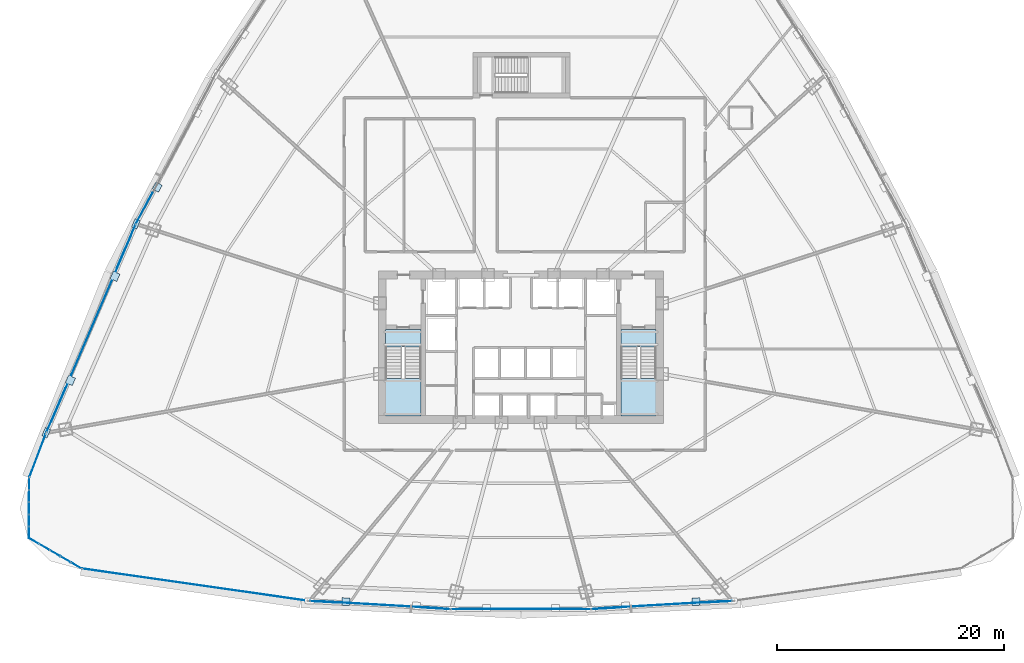
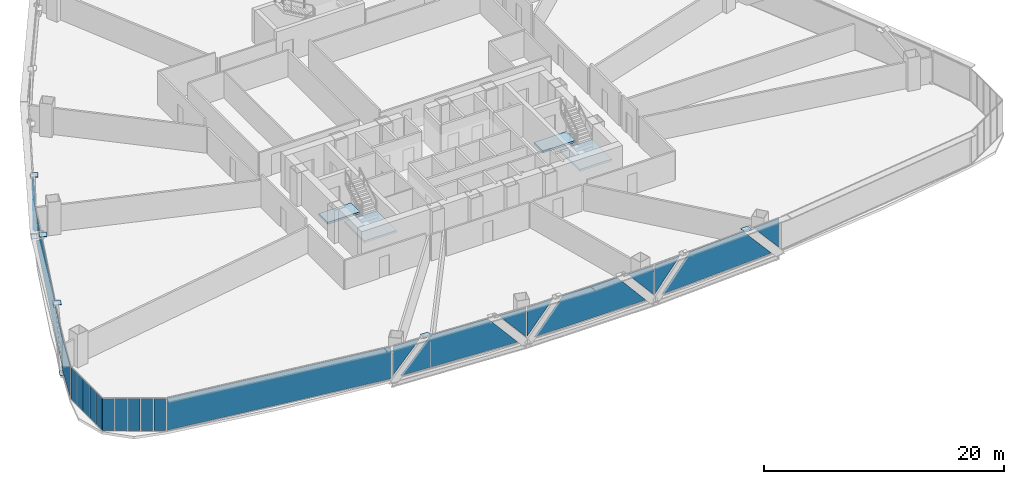
# One storey, part 31 of 42: 32 plates, 4 slabs, 11 elements without a shape of their own.
"""IFC4 building model written with IfcOpenShell, lengths in metres."""

from ifc_helpers import new_model, si_unit, direction, frame, origin, origin_2d, place, context, subcontext, project, spatial, polyline, rectangle, outline, extrude, source, transform, mapped, material, layer, layer_set, type_object, element, aggregate, save


model = new_model("IFC4")

# Units and contexts
model_context = context("Model", 3, precision=1e-05, world=origin(), true_north=direction((0.0, 1.0)))
body_context = subcontext(model_context, "Body", "Model", "MODEL_VIEW")
ifc_project = project(units=[si_unit("LENGTHUNIT", "METRE"), si_unit("AREAUNIT", "SQUARE_METRE"), si_unit("VOLUMEUNIT", "CUBIC_METRE"), si_unit("PLANEANGLEUNIT", "RADIAN"), si_unit("MASSUNIT", "GRAM", prefix="KILO"), si_unit("THERMODYNAMICTEMPERATUREUNIT", "KELVIN"), si_unit("POWERUNIT", "WATT")], contexts=[model_context])

# Site, building, storey
site_placement = place(None, origin())
site = spatial("IfcSite", under=ifc_project, at=site_placement, CompositionType="ELEMENT")
building_placement = place(site_placement, origin())
building = spatial("IfcBuilding", under=site, at=building_placement, Name="Yunzhuo Pagoda Commons", CompositionType="ELEMENT")
storey_placement = place(building_placement, frame((0.0, 0.0, 48.550048828125)))
storey = spatial("IfcBuildingStorey", under=building, at=storey_placement, Name="L12", CompositionType="ELEMENT", Elevation=48.550048828125)

# Curtain wall, plates
ifc_material_1 = material(Name="Anodized aluminium 6063-T6", Category="aluminium")
ifc_layer_1 = layer(ifc_material_1, 0.1650390625)
ifc_layer_set_1 = layer_set([ifc_layer_1], Name="Anodized aluminium 6063-T6")
curtain_wall_type_1 = type_object("IfcCurtainWallType", Name="CW-LOW Low-Zone Ribbon Curtain Wall", PredefinedType="NOTDEFINED", material=ifc_layer_set_1)
curtain_wall_1_placement = place(storey_placement, origin())
curtain_wall_1 = element("IfcCurtainWall", 1, at=curtain_wall_1_placement, inside=storey, type_object=curtain_wall_type_1, Name="L12 curtain wall CW-L12-F1B2", PredefinedType="NOTDEFINED")
ifc_material_2 = material(Name="Tempered low-e double glazing", Category="glass")
ifc_layer_2 = layer(ifc_material_2, 0.028076171875)
ifc_layer_set_2 = layer_set([ifc_layer_2], Name="Tempered low-e double glazing")
plate_type_1 = type_object("IfcPlateType", Name="CW-LOW-P Low-E Double Glazing 28", PredefinedType="CURTAIN_PANEL", material=ifc_layer_set_2)
plate_1_placement = place(storey_placement, frame((30.71533203125, 11.470703125, 1.854248046875), z_axis=(-0.057790687505, -0.998328721633, 0.0), x_axis=(0.998328721633, -0.057790687505, 0.0)))
plate_1 = element("IfcPlate", 2, at=plate_1_placement, type_object=plate_type_1, Name="CW panel 1.1 lite 1", PredefinedType="CURTAIN_PANEL", context=body_context, shape_type="SweptSolid", body=[
    extrude(outline(polyline([(-1.252197265625, -1.455810546875), (1.252197265625, 1.455810546875), (-1.252197265625, 1.455810546875), (-1.252197265625, -1.455810546875)])), origin(), (0.0, 0.0, 1.0), 0.028076171875),
])
plate_2_placement = place(storey_placement, frame((35.6357421875, 11.216064453125, 1.68505859375), z_axis=(-0.057790687505, -0.998328721633, 0.0), x_axis=(0.998328721633, -0.057790687505, 0.0)))
plate_2 = element("IfcPlate", 3, at=plate_2_placement, type_object=plate_type_1, Name="CW panel 1.1 lite 2", PredefinedType="CURTAIN_PANEL", context=body_context, shape_type="SweptSolid", body=[
    extrude(outline(polyline([(-5.4677734375, -1.625), (5.4677734375, -1.625), (2.672607421875, 1.625), (-2.672607421875, 1.625), (-5.4677734375, -1.625)])), origin(), (0.0, 0.0, 1.0), 0.028076171875),
])
plate_3_placement = place(storey_placement, frame((40.552734375, 10.9013671875, 1.854248046875), z_axis=(-0.057790687505, -0.998328721633, 0.0), x_axis=(0.998328721633, -0.057790687505, 0.0)))
plate_3 = element("IfcPlate", 4, at=plate_3_placement, type_object=plate_type_1, Name="CW panel 1.1 lite 3", PredefinedType="CURTAIN_PANEL", context=body_context, shape_type="SweptSolid", body=[
    extrude(outline(polyline([(-1.252197265625, 1.455810546875), (1.252197265625, -1.455810546875), (1.252197265625, 1.455810546875), (-1.252197265625, 1.455810546875)])), origin(), (0.0, 0.0, 1.0), 0.028076171875),
])
aggregate(curtain_wall_1, [plate_1, plate_2, plate_3])

curtain_wall_2_placement = place(storey_placement, origin())
curtain_wall_2 = element("IfcCurtainWall", 5, at=curtain_wall_2_placement, inside=storey, type_object=curtain_wall_type_1, Name="L12 curtain wall CW-L12-F1B3", PredefinedType="NOTDEFINED")
plate_4_placement = place(storey_placement, frame((43.15869140625, 10.8251953125, 1.85791015625), z_axis=(0.0, -1.0, 0.0), x_axis=(1.0, 0.0, 0.0)))
plate_4 = element("IfcPlate", 6, at=plate_4_placement, type_object=plate_type_1, Name="CW panel 1.1 lite 1", PredefinedType="CURTAIN_PANEL", context=body_context, shape_type="SweptSolid", body=[
    extrude(outline(polyline([(-1.226806640625, -1.4521484375), (1.226806640625, 1.4521484375), (-1.226806640625, 1.4521484375), (-1.226806640625, -1.4521484375)])), origin(), (0.0, 0.0, 1.0), 0.028076171875),
])
plate_5_placement = place(storey_placement, frame((48.0, 10.85546875, 1.68505859375), z_axis=(0.0, -1.0, 0.0), x_axis=(1.0, 0.0, 0.0)))
plate_5 = element("IfcPlate", 7, at=plate_5_placement, type_object=plate_type_1, Name="CW panel 1.1 lite 2", PredefinedType="CURTAIN_PANEL", context=body_context, shape_type="SweptSolid", body=[
    extrude(outline(polyline([(-5.365234375, -1.625), (5.365234375, -1.625), (2.61962890625, 1.625), (-2.61962890625, 1.625), (-5.365234375, -1.625)])), origin(), (0.0, 0.0, 1.0), 0.028076171875),
])
plate_6_placement = place(storey_placement, frame((52.84130859375, 10.8251953125, 1.85791015625), z_axis=(0.0, -1.0, 0.0), x_axis=(1.0, 0.0, 0.0)))
plate_6 = element("IfcPlate", 8, at=plate_6_placement, type_object=plate_type_1, Name="CW panel 1.1 lite 3", PredefinedType="CURTAIN_PANEL", context=body_context, shape_type="SweptSolid", body=[
    extrude(outline(polyline([(-1.226806640625, 1.4521484375), (1.226806640625, -1.4521484375), (1.226806640625, 1.4521484375), (-1.226806640625, 1.4521484375)])), origin(), (0.0, 0.0, 1.0), 0.028076171875),
])
aggregate(curtain_wall_2, [plate_4, plate_5, plate_6])

curtain_wall_3_placement = place(storey_placement, origin())
curtain_wall_3 = element("IfcCurtainWall", 9, at=curtain_wall_3_placement, inside=storey, type_object=curtain_wall_type_1, Name="L12 curtain wall CW-L12-F1B4", PredefinedType="NOTDEFINED")
plate_7_placement = place(storey_placement, frame((55.447265625, 10.9013671875, 1.854248046875), z_axis=(0.057790687505, -0.998328721633, 0.0), x_axis=(0.998328721633, 0.057790687505, 0.0)))
plate_7 = element("IfcPlate", 10, at=plate_7_placement, type_object=plate_type_1, Name="CW panel 1.1 lite 1", PredefinedType="CURTAIN_PANEL", context=body_context, shape_type="SweptSolid", body=[
    extrude(outline(polyline([(-1.252197265625, -1.455810546875), (1.252197265625, 1.455810546875), (-1.252197265625, 1.455810546875), (-1.252197265625, -1.455810546875)])), origin(), (0.0, 0.0, 1.0), 0.028076171875),
])
plate_8_placement = place(storey_placement, frame((60.3642578125, 11.216064453125, 1.68505859375), z_axis=(0.057790687505, -0.998328721633, 0.0), x_axis=(0.998328721633, 0.057790687505, 0.0)))
plate_8 = element("IfcPlate", 11, at=plate_8_placement, type_object=plate_type_1, Name="CW panel 1.1 lite 2", PredefinedType="CURTAIN_PANEL", context=body_context, shape_type="SweptSolid", body=[
    extrude(outline(polyline([(-5.4677734375, -1.625), (5.4677734375, -1.625), (2.672607421875, 1.625), (-2.672607421875, 1.625), (-5.4677734375, -1.625)])), origin(), (0.0, 0.0, 1.0), 0.028076171875),
])
plate_9_placement = place(storey_placement, frame((65.28466796875, 11.470703125, 1.854248046875), z_axis=(0.057790687505, -0.998328721633, 0.0), x_axis=(0.998328721633, 0.057790687505, 0.0)))
plate_9 = element("IfcPlate", 12, at=plate_9_placement, type_object=plate_type_1, Name="CW panel 1.1 lite 3", PredefinedType="CURTAIN_PANEL", context=body_context, shape_type="SweptSolid", body=[
    extrude(outline(polyline([(-1.252197265625, 1.455810546875), (1.252197265625, -1.455810546875), (1.252197265625, 1.455810546875), (-1.252197265625, 1.455810546875)])), origin(), (0.0, 0.0, 1.0), 0.028076171875),
])
aggregate(curtain_wall_3, [plate_7, plate_8, plate_9])

# Curtain wall, plate
curtain_wall_4_placement = place(storey_placement, origin())
curtain_wall_4 = element("IfcCurtainWall", 13, at=curtain_wall_4_placement, inside=storey, type_object=curtain_wall_type_1, Name="L12 curtain wall CW-L12-F3B3", PredefinedType="NOTDEFINED")
plate_10_placement = place(storey_placement, frame((14.891357421875, 46.10595703125, 1.821533203125), z_axis=(-0.88230916381, 0.470670308662, 0.0), x_axis=(-0.470670308662, -0.88230916381, 0.0)))
plate_10 = element("IfcPlate", 14, at=plate_10_placement, type_object=plate_type_1, Name="CW panel 1.1 lite 3", PredefinedType="CURTAIN_PANEL", context=body_context, shape_type="SweptSolid", body=[
    extrude(outline(polyline([(-1.52978515625, 1.48828125), (1.52978515625, -1.48828125), (1.52978515625, 1.48828125), (-1.52978515625, 1.48828125)])), origin(), (0.0, 0.0, 1.0), 0.028076171875),
])
aggregate(curtain_wall_4, [plate_10])

# Curtain wall, plates
curtain_wall_5_placement = place(storey_placement, origin())
curtain_wall_5 = element("IfcCurtainWall", 15, at=curtain_wall_5_placement, inside=storey, type_object=curtain_wall_type_1, Name="L12 curtain wall CW-L12-F3B4", PredefinedType="NOTDEFINED")
plate_11_placement = place(storey_placement, frame((13.286376953125, 42.708984375, 1.783447265625), z_axis=(-0.918865619656, 0.394570618538, 0.0), x_axis=(-0.394570618538, -0.918865619656, 0.0)))
plate_11 = element("IfcPlate", 16, at=plate_11_placement, type_object=plate_type_1, Name="CW panel 1.1 lite 1", PredefinedType="CURTAIN_PANEL", context=body_context, shape_type="SweptSolid", body=[
    extrude(outline(polyline([(-2.101806640625, -1.526611328125), (2.101806640625, 1.526611328125), (-2.101806640625, 1.526611328125), (-2.101806640625, -1.526611328125)])), origin(), (0.0, 0.0, 1.0), 0.028076171875),
])
plate_12_placement = place(storey_placement, frame((10.224853515625, 35.503662109375, 1.68505859375), z_axis=(-0.918865619656, 0.394570618538, 0.0), x_axis=(-0.394570618538, -0.918865619656, 0.0)))
plate_12 = element("IfcPlate", 17, at=plate_12_placement, type_object=plate_type_1, Name="CW panel 1.1 lite 2", PredefinedType="CURTAIN_PANEL", context=body_context, shape_type="SweptSolid", body=[
    extrude(outline(polyline([(-8.908203125, -1.625), (8.908203125, -1.625), (4.43359375, 1.625), (-4.43359375, 1.625), (-8.908203125, -1.625)])), origin(), (0.0, 0.0, 1.0), 0.028076171875),
])
plate_13_placement = place(storey_placement, frame((7.1083984375, 28.322021484375, 1.783447265625), z_axis=(-0.918865619656, 0.394570618538, 0.0), x_axis=(-0.394570618538, -0.918865619656, 0.0)))
plate_13 = element("IfcPlate", 18, at=plate_13_placement, type_object=plate_type_1, Name="CW panel 1.1 lite 3", PredefinedType="CURTAIN_PANEL", context=body_context, shape_type="SweptSolid", body=[
    extrude(outline(polyline([(-2.101806640625, 1.526611328125), (2.101806640625, -1.526611328125), (2.101806640625, 1.526611328125), (-2.101806640625, 1.526611328125)])), origin(), (0.0, 0.0, 1.0), 0.028076171875),
])
aggregate(curtain_wall_5, [plate_11, plate_12, plate_13])

# Stair, slabs
ifc_material_3 = material(Name="Concrete C40", Category="concrete")
stair_type_1 = type_object("IfcStairType", Name="ST-C1 Core Smokeproof Stair ST1", PredefinedType="HALF_TURN_STAIR", material=ifc_material_3)
stair_1_placement = place(storey_placement, origin())
stair_1 = element("IfcStair", 19, at=stair_1_placement, inside=storey, type_object=stair_type_1, Name="L12 Core smokeproof stair ST1", PredefinedType="HALF_TURN_STAIR")
ifc_layer_3 = layer(ifc_material_3, 0.199951171875)
ifc_layer_set_3 = layer_set([ifc_layer_3], Name="Concrete C40")
slab_type_1 = type_object("IfcSlabType", Name="SL-LND1 Stair Landing Slab 200", PredefinedType="LANDING", material=ifc_layer_set_3)
slab_1_placement = place(storey_placement, frame((0.0, 0.0, 1.614990234375)))
slab_1 = element("IfcSlab", 20, at=slab_1_placement, type_object=slab_type_1, Name="ST1 landing 1", PredefinedType="LANDING", context=body_context, shape_type="SweptSolid", body=[
    extrude(outline(polyline([(36.10009765625, 31.10009765625), (36.10009765625, 27.800048828125), (39.199951171875, 27.800048828125), (39.199951171875, 31.10009765625), (36.10009765625, 31.10009765625)])), origin(), (0.0, 0.0, 1.0), 0.199951171875),
])
slab_2_placement = place(storey_placement, frame((0.0, 0.0, -0.199951171875)))
slab_2 = element("IfcSlab", 21, at=slab_2_placement, type_object=slab_type_1, Name="ST1 floor landing L12", PredefinedType="LANDING", context=body_context, shape_type="SweptSolid", body=[
    extrude(outline(polyline([(36.10009765625, 35.39990234375), (36.10009765625, 33.89990234375), (39.199951171875, 33.89990234375), (39.199951171875, 35.39990234375), (36.10009765625, 35.39990234375)])), origin(), (0.0, 0.0, 1.0), 0.199951171875),
])
aggregate(stair_1, [slab_1, slab_2])

stair_type_2 = type_object("IfcStairType", Name="ST-C2 Core Smokeproof Stair ST2", PredefinedType="HALF_TURN_STAIR", material=ifc_material_3)
stair_2_placement = place(storey_placement, origin())
stair_2 = element("IfcStair", 22, at=stair_2_placement, inside=storey, type_object=stair_type_2, Name="L12 Core smokeproof stair ST2", PredefinedType="HALF_TURN_STAIR")
ifc_layer_4 = layer(ifc_material_3, 0.201904296875)
ifc_layer_set_4 = layer_set([ifc_layer_4], Name="Concrete C40")
slab_type_2 = type_object("IfcSlabType", Name="SL-LND2 Stair Landing Slab 202", PredefinedType="LANDING", material=ifc_layer_set_4)
slab_3_placement = place(storey_placement, frame((0.0, 0.0, 1.614990234375)))
slab_3 = element("IfcSlab", 23, at=slab_3_placement, type_object=slab_type_2, Name="ST2 landing 1", PredefinedType="LANDING", context=body_context, shape_type="SweptSolid", body=[
    extrude(outline(polyline([(56.800048828125, 31.10009765625), (56.800048828125, 27.800048828125), (59.89990234375, 27.800048828125), (59.89990234375, 31.10009765625), (56.800048828125, 31.10009765625)])), origin(), (0.0, 0.0, 1.0), 0.199951171875),
])
slab_4_placement = place(storey_placement, frame((0.0, 0.0, -0.199951171875)))
slab_4 = element("IfcSlab", 24, at=slab_4_placement, type_object=slab_type_2, Name="ST2 floor landing L12", PredefinedType="LANDING", context=body_context, shape_type="SweptSolid", body=[
    extrude(outline(polyline([(56.800048828125, 35.39990234375), (56.800048828125, 33.89990234375), (59.89990234375, 33.89990234375), (59.89990234375, 35.39990234375), (56.800048828125, 35.39990234375)])), origin(), (0.0, 0.0, 1.0), 0.199951171875),
])
aggregate(stair_2, [slab_3, slab_4])

# Plates
ifc_material_4 = material(Name="Structural steel Q355B", Category="steel")
ifc_layer_5 = layer(ifc_material_4, 0.028076171875)
ifc_layer_set_5 = layer_set([ifc_layer_5], Name="Structural steel Q355B")
plate_type_2 = type_object("IfcPlateType", Name="SP-ND1 Lattice Node Cap Plate 800x500x28", PredefinedType="USERDEFINED", material=ifc_layer_set_5)
shared_shape_1 = source(origin(), body_context, "Body", "SweptSolid", [
    extrude(rectangle(XDim=0.800048828125, YDim=0.5, at=origin_2d()), origin(), (0.0, 0.0, 1.0), 0.028076171875),
])
for number, where, z_axis, x_axis, name in (
    (25, (14.12841796875, 44.70556640625, -0.27392578125), (0.0, 0.0, 1.0), (-0.394567453861, -0.918866978596, 0.0), "L12 diamond node plate F3.3A"),
    (26, (6.240478515625, 26.336669921875, -0.27392578125), (0.0, 0.0, 1.0), (-0.394567453861, -0.918866978596, 0.0), "L12 diamond node plate F3.3B"),
):
    element("IfcPlate", number, at=place(storey_placement, frame(where, z_axis=z_axis, x_axis=x_axis)), inside=storey, type_object=plate_type_2, Name=name, ObjectType="STIFFENER_PLATE", PredefinedType="USERDEFINED", context=body_context, shape_type="MappedRepresentation", body=[
        mapped(shared_shape_1, transform((0.0, 0.0, 0.0), scale=1.0)),
    ])
shared_shape_2 = source(origin(), body_context, "Body", "SweptSolid", [
    extrude(rectangle(XDim=0.699951171875, YDim=0.661376953125, at=origin_2d()), origin(), (0.0, 0.0, 1.0), 0.035888671875),
])
for number, where, z_axis, x_axis, name in (
    (27, (32.60498046875, 11.480712890625, 3.33203125), (0.0, 0.0, 1.0), (0.998328730053, -0.057790542049, 0.0), "L12 setback lattice tie plate F1.1L"),
    (28, (63.39501953125, 11.480712890625, 3.33203125), (0.0, 0.0, 1.0), (0.998328730053, 0.057790542049, 0.0), "L12 setback lattice tie plate F1.3R"),
):
    element("IfcPlate", number, at=place(storey_placement, frame(where, z_axis=z_axis, x_axis=x_axis)), inside=storey, type_object=plate_type_2, Name=name, ObjectType="STIFFENER_PLATE", PredefinedType="USERDEFINED", context=body_context, shape_type="MappedRepresentation", body=[
        mapped(shared_shape_2, transform((0.0, 0.0, 0.0), scale=1.0)),
    ])
shared_shape_3 = source(origin(), body_context, "Body", "SweptSolid", [
    extrude(rectangle(XDim=0.699951171875, YDim=0.672119140625, at=origin_2d()), origin(), (0.0, 0.0, 1.0), 0.035888671875),
])
plate_14_placement = place(storey_placement, frame((8.373291015625, 30.9404296875, 3.33203125), z_axis=(0.0, 0.0, 1.0), x_axis=(-0.394567453861, -0.918866978596, 0.0)))
element("IfcPlate", 29, at=plate_14_placement, inside=storey, type_object=plate_type_2, Name="L12 setback lattice tie plate F3.3R", ObjectType="STIFFENER_PLATE", PredefinedType="USERDEFINED", context=body_context, shape_type="MappedRepresentation", body=[
    mapped(shared_shape_3, transform((0.0, 0.0, 0.0), scale=1.0)),
])
shared_shape_4 = source(origin(), body_context, "Body", "SweptSolid", [
    extrude(rectangle(XDim=0.699951171875, YDim=0.627685546875, at=origin_2d()), origin(), (0.0, 0.0, 1.0), 0.035888671875),
])
plate_15_placement = place(storey_placement, frame((16.011474609375, 47.941162109375, 3.33203125), z_axis=(0.0, 0.0, 1.0), x_axis=(-0.470673134105, -0.882307656564, 0.0)))
element("IfcPlate", 30, at=plate_15_placement, inside=storey, type_object=plate_type_2, Name="L12 setback lattice tie plate F3.2R", ObjectType="STIFFENER_PLATE", PredefinedType="USERDEFINED", context=body_context, shape_type="MappedRepresentation", body=[
    mapped(shared_shape_4, transform((0.0, 0.0, 0.0), scale=1.0)),
])
shared_shape_5 = source(origin(), body_context, "Body", "SweptSolid", [
    extrude(rectangle(XDim=0.699951171875, YDim=0.640869140625, at=origin_2d()), origin(), (0.0, 0.0, 1.0), 0.035888671875),
])
plate_16_placement = place(storey_placement, frame((12.299560546875, 40.088134765625, 3.33203125), z_axis=(0.0, 0.0, 1.0), x_axis=(-0.394567453861, -0.918866978596, 0.0)))
element("IfcPlate", 31, at=plate_16_placement, inside=storey, type_object=plate_type_2, Name="L12 setback lattice tie plate F3.3L", ObjectType="STIFFENER_PLATE", PredefinedType="USERDEFINED", context=body_context, shape_type="MappedRepresentation", body=[
    mapped(shared_shape_5, transform((0.0, 0.0, 0.0), scale=1.0)),
])

# Curtain wall, plate
curtain_wall_6_placement = place(storey_placement, origin())
curtain_wall_6 = element("IfcCurtainWall", 32, at=curtain_wall_6_placement, inside=storey, type_object=curtain_wall_type_1, Name="L12 curtain wall CW-L12-F1B1", PredefinedType="NOTDEFINED")
shared_shape_6 = source(origin(), body_context, "Body", "SweptSolid", [
    extrude(rectangle(XDim=20.06689453125, YDim=0.028076171875, at=origin_2d()), origin(), (0.0, 0.0, 1.0), 3.25),
])
plate_17_placement = place(storey_placement, frame((19.32861328125, 12.972412109375, 0.06005859375), z_axis=(0.0, 0.0, 1.0), x_axis=(0.989939291447, -0.141492753346, 0.0)))
plate_17 = element("IfcPlate", 33, at=plate_17_placement, type_object=plate_type_1, Name="CW panel 1.1", PredefinedType="CURTAIN_PANEL", context=body_context, shape_type="MappedRepresentation", body=[
    mapped(shared_shape_6, transform((0.0, 0.0, 0.0), scale=1.0)),
])
aggregate(curtain_wall_6, [plate_17])

curtain_wall_7_placement = place(storey_placement, origin())
curtain_wall_7 = element("IfcCurtainWall", 34, at=curtain_wall_7_placement, inside=storey, type_object=curtain_wall_type_1, Name="L12 curtain wall CW-L12-F3B5", PredefinedType="NOTDEFINED")
shared_shape_7 = source(origin(), body_context, "Body", "SweptSolid", [
    extrude(rectangle(XDim=4.019775390625, YDim=0.028076171875, at=origin_2d()), origin(), (0.0, 0.0, 1.0), 3.25),
])
plate_18_placement = place(storey_placement, frame((5.481201171875, 24.3251953125, 0.06005859375), z_axis=(0.0, 0.0, 1.0), x_axis=(-0.353150780113, -0.935566420146, 0.0)))
plate_18 = element("IfcPlate", 35, at=plate_18_placement, type_object=plate_type_1, Name="CW panel 1.1", PredefinedType="CURTAIN_PANEL", context=body_context, shape_type="MappedRepresentation", body=[
    mapped(shared_shape_7, transform((0.0, 0.0, 0.0), scale=1.0)),
])
aggregate(curtain_wall_7, [plate_18])

# Curtain wall, plates
ifc_layer_6 = layer(ifc_material_1, 0.1298828125)
ifc_layer_set_6 = layer_set([ifc_layer_6], Name="Anodized aluminium 6063-T6")
curtain_wall_type_2 = type_object("IfcCurtainWallType", Name="CW-VTX Rounded Corner Curtain Wall", PredefinedType="NOTDEFINED", material=ifc_layer_set_6)
curtain_wall_8_placement = place(storey_placement, origin())
curtain_wall_8 = element("IfcCurtainWall", 36, at=curtain_wall_8_placement, inside=storey, type_object=curtain_wall_type_2, Name="L12 curtain wall CW-L12-VTX1S1", PredefinedType="NOTDEFINED")
ifc_layer_7 = layer(ifc_material_2, 0.02587890625)
ifc_layer_set_7 = layer_set([ifc_layer_7], Name="Tempered low-e double glazing")
plate_type_3 = type_object("IfcPlateType", Name="CW-VTX-P Low-E Double Glazing 26", PredefinedType="CURTAIN_PANEL", material=ifc_layer_set_7)
shared_shape_8 = source(origin(), body_context, "Body", "SweptSolid", [
    extrude(rectangle(XDim=0.990478515625, YDim=0.028076171875, at=origin_2d()), origin(), (0.0, 0.0, 1.0), 3.260009765625),
])
plate_19_placement = place(storey_placement, frame((4.74658203125, 21.833984375, 0.05517578125), z_axis=(0.0, 0.0, 1.0), x_axis=(-0.003579061808, -0.999993595138, 0.0)))
plate_19 = element("IfcPlate", 37, at=plate_19_placement, type_object=plate_type_3, Name="CW panel 1.1", PredefinedType="CURTAIN_PANEL", context=body_context, shape_type="MappedRepresentation", body=[
    mapped(shared_shape_8, transform((0.0, 0.0, 0.0), scale=1.0)),
])
plate_20_placement = place(storey_placement, frame((4.731201171875, 17.56982421875, 0.05517578125), z_axis=(0.0, 0.0, 1.0), x_axis=(-0.003579061808, -0.999993595138, 0.0)))
plate_20 = element("IfcPlate", 38, at=plate_20_placement, type_object=plate_type_3, Name="CW panel 5.1", PredefinedType="CURTAIN_PANEL", context=body_context, shape_type="MappedRepresentation", body=[
    mapped(shared_shape_8, transform((0.0, 0.0, 0.0), scale=1.0)),
])

curtain_wall_9_placement = place(storey_placement, origin())
curtain_wall_9 = element("IfcCurtainWall", 39, at=curtain_wall_9_placement, inside=storey, type_object=curtain_wall_type_2, Name="L12 curtain wall CW-L12-VTX1S2", PredefinedType="NOTDEFINED")
plate_21_placement = place(storey_placement, frame((5.16552734375, 16.8134765625, 0.05517578125), z_axis=(0.0, 0.0, 1.0), x_axis=(0.865423307498, -0.501041414295, 0.0)))
plate_21 = element("IfcPlate", 40, at=plate_21_placement, type_object=plate_type_3, Name="CW panel 1.1", PredefinedType="CURTAIN_PANEL", context=body_context, shape_type="MappedRepresentation", body=[
    mapped(shared_shape_8, transform((0.0, 0.0, 0.0), scale=1.0)),
])
plate_22_placement = place(storey_placement, frame((8.855712890625, 14.677001953125, 0.05517578125), z_axis=(0.0, 0.0, 1.0), x_axis=(0.865423307498, -0.501041414295, 0.0)))
plate_22 = element("IfcPlate", 41, at=plate_22_placement, type_object=plate_type_3, Name="CW panel 5.1", PredefinedType="CURTAIN_PANEL", context=body_context, shape_type="MappedRepresentation", body=[
    mapped(shared_shape_8, transform((0.0, 0.0, 0.0), scale=1.0)),
])

# Plate
shared_shape_9 = source(origin(), body_context, "Body", "SweptSolid", [
    extrude(rectangle(XDim=1.017822265625, YDim=0.028076171875, at=origin_2d()), origin(), (0.0, 0.0, 1.0), 3.260009765625),
])
plate_23_placement = place(storey_placement, frame((4.74267578125, 20.774658203125, 0.05517578125), z_axis=(0.0, 0.0, 1.0), x_axis=(-0.003579061808, -0.999993595138, 0.0)))
plate_23 = element("IfcPlate", 42, at=plate_23_placement, type_object=plate_type_3, Name="CW panel 2.1", PredefinedType="CURTAIN_PANEL", context=body_context, shape_type="MappedRepresentation", body=[
    mapped(shared_shape_9, transform((0.0, 0.0, 0.0), scale=1.0)),
])

plate_24_placement = place(storey_placement, frame((4.739013671875, 19.701904296875, 0.05517578125), z_axis=(0.0, 0.0, 1.0), x_axis=(-0.003579061808, -0.999993595138, 0.0)))
plate_24 = element("IfcPlate", 43, at=plate_24_placement, type_object=plate_type_3, Name="CW panel 3.1", PredefinedType="CURTAIN_PANEL", context=body_context, shape_type="MappedRepresentation", body=[
    mapped(shared_shape_9, transform((0.0, 0.0, 0.0), scale=1.0)),
])

plate_25_placement = place(storey_placement, frame((4.735107421875, 18.62890625, 0.05517578125), z_axis=(0.0, 0.0, 1.0), x_axis=(-0.003579061808, -0.999993595138, 0.0)))
plate_25 = element("IfcPlate", 44, at=plate_25_placement, type_object=plate_type_3, Name="CW panel 4.1", PredefinedType="CURTAIN_PANEL", context=body_context, shape_type="MappedRepresentation", body=[
    mapped(shared_shape_9, transform((0.0, 0.0, 0.0), scale=1.0)),
])

aggregate(curtain_wall_8, [plate_19, plate_23, plate_24, plate_25, plate_20])

plate_26_placement = place(storey_placement, frame((6.08203125, 16.28271484375, 0.05517578125), z_axis=(0.0, 0.0, 1.0), x_axis=(0.865423307498, -0.501041414295, 0.0)))
plate_26 = element("IfcPlate", 45, at=plate_26_placement, type_object=plate_type_3, Name="CW panel 2.1", PredefinedType="CURTAIN_PANEL", context=body_context, shape_type="MappedRepresentation", body=[
    mapped(shared_shape_9, transform((0.0, 0.0, 0.0), scale=1.0)),
])

plate_27_placement = place(storey_placement, frame((7.0107421875, 15.7451171875, 0.05517578125), z_axis=(0.0, 0.0, 1.0), x_axis=(0.865423307498, -0.501041414295, 0.0)))
plate_27 = element("IfcPlate", 46, at=plate_27_placement, type_object=plate_type_3, Name="CW panel 3.1", PredefinedType="CURTAIN_PANEL", context=body_context, shape_type="MappedRepresentation", body=[
    mapped(shared_shape_9, transform((0.0, 0.0, 0.0), scale=1.0)),
])

plate_28_placement = place(storey_placement, frame((7.939208984375, 15.20751953125, 0.05517578125), z_axis=(0.0, 0.0, 1.0), x_axis=(0.865423307498, -0.501041414295, 0.0)))
plate_28 = element("IfcPlate", 47, at=plate_28_placement, type_object=plate_type_3, Name="CW panel 4.1", PredefinedType="CURTAIN_PANEL", context=body_context, shape_type="MappedRepresentation", body=[
    mapped(shared_shape_9, transform((0.0, 0.0, 0.0), scale=1.0)),
])

aggregate(curtain_wall_9, [plate_21, plate_26, plate_27, plate_28, plate_22])

save(model, "model.ifc")
